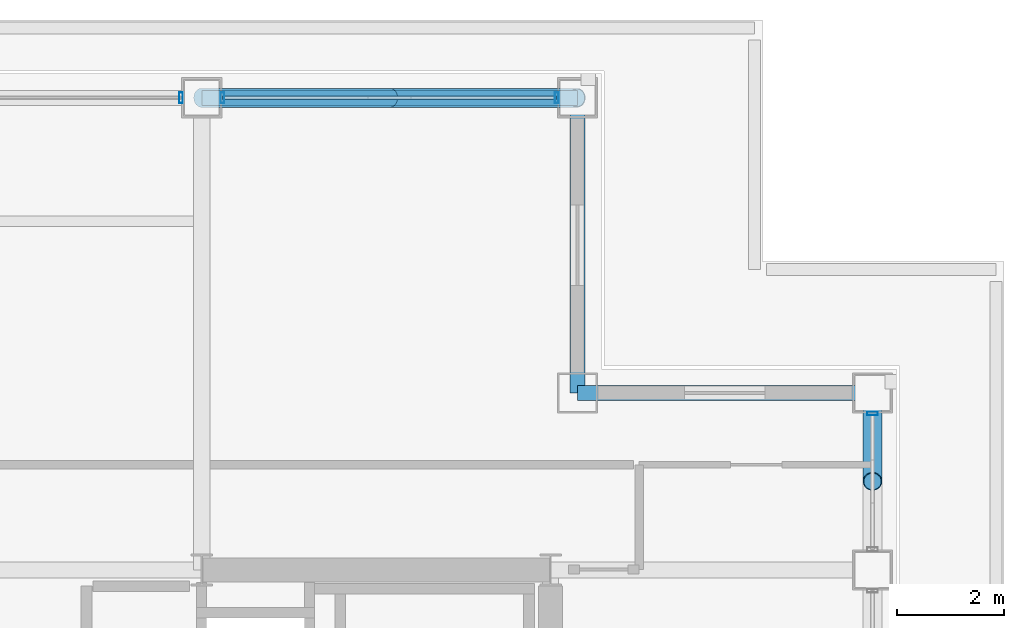
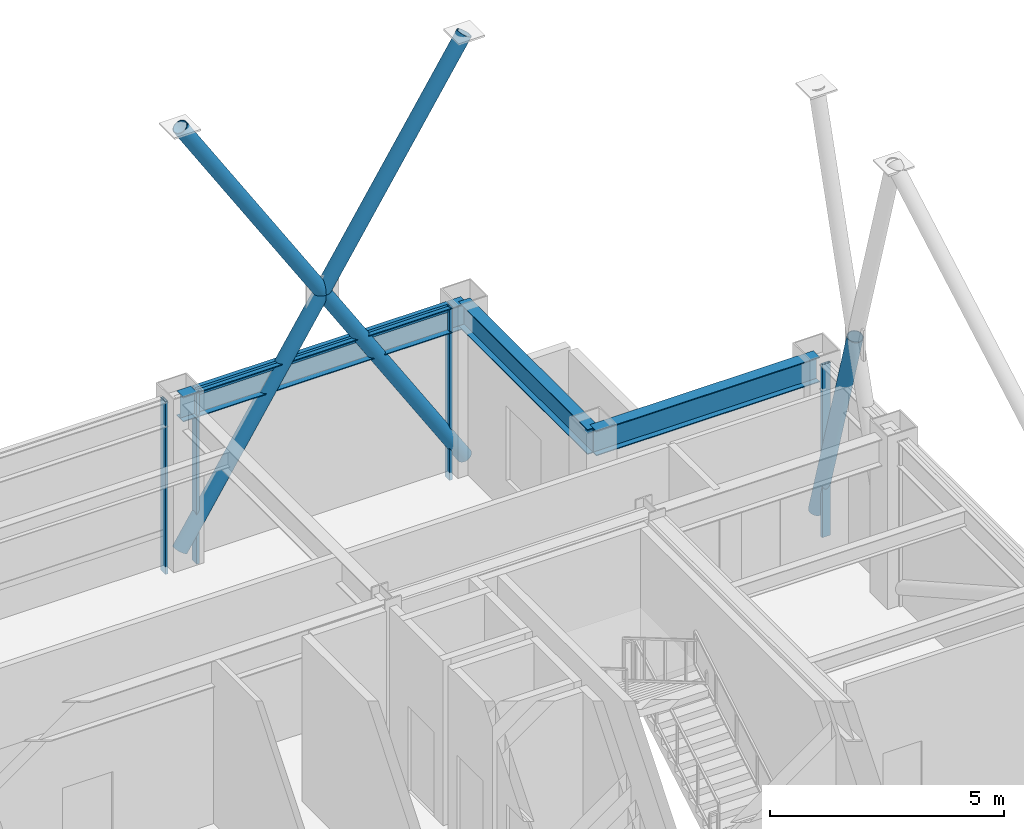
# One storey, part 18 of 24: 9 members, 3 beams, 3 elements without a shape of their own.
"""IFC4 building model written with IfcOpenShell, lengths in metres."""

from ifc_helpers import new_model, si_unit, direction, frame, origin, origin_2d, place, context, subcontext, project, spatial, hollow_rectangle, hollow_circle, i_section, extrude, material, layer, layer_set, material_profile, profile_set, type_object, element, aggregate, save


model = new_model("IFC4")

# Units and contexts
model_context = context("Model", 3, precision=1e-05, world=origin(), true_north=direction((0.0, 1.0)))
body_context = subcontext(model_context, "Body", "Model", "MODEL_VIEW")
ifc_project = project(units=[si_unit("LENGTHUNIT", "METRE"), si_unit("AREAUNIT", "SQUARE_METRE"), si_unit("VOLUMEUNIT", "CUBIC_METRE"), si_unit("PLANEANGLEUNIT", "RADIAN"), si_unit("MASSUNIT", "GRAM", prefix="KILO")], contexts=[model_context])

# Site, building, storey
site_placement = place(None, origin())
site = spatial("IfcSite", under=ifc_project, at=site_placement, CompositionType="ELEMENT")
building_placement = place(site_placement, origin())
building = spatial("IfcBuilding", under=site, at=building_placement, Name="Brelmoor Portico Tower", CompositionType="ELEMENT")
storey_placement = place(building_placement, frame((0.0, 0.0, 150.60009765625)))
storey = spatial("IfcBuildingStorey", under=building, at=storey_placement, Name="L39", CompositionType="ELEMENT", Elevation=150.60009765625)

# Beams
ifc_material_1 = material(Name="Steel Q355B", Category="steel")
ifc_material_profile_1 = material_profile(ifc_material_1, i_section(OverallWidth=0.280029296875, OverallDepth=0.64990234375, WebThickness=0.012939453125, FlangeThickness=0.02197265625, at=origin_2d()), Name="HN 650x280x13x22")
ifc_profile_set_1 = profile_set([ifc_material_profile_1], Name="Steel Q355B")
beam_type = type_object("IfcBeamType", Name="BM-SP-650", PredefinedType="SPANDREL", material=ifc_profile_set_1)
beam_1_placement = place(storey_placement, frame((15.050048828125, 13.050048828125, 3.974853515625), z_axis=(1.0, 0.0, 0.0), x_axis=(0.0, 1.0, 0.0)))
element("IfcBeam", 1, at=beam_1_placement, inside=storey, type_object=beam_type, Name="L39 Perimeter Spandrel Beam SP-07", PredefinedType="SPANDREL", context=body_context, shape_type="SweptSolid", body=[
    extrude(i_section(OverallWidth=0.280029296875, OverallDepth=0.64990234375, WebThickness=0.012939453125, FlangeThickness=0.02197265625, at=origin_2d()), origin(), (0.0, 0.0, 1.0), 5.5),
])
beam_2_placement = place(storey_placement, frame((8.050048828125, 18.550048828125, 3.974853515625), z_axis=(1.0, 0.0, 0.0), x_axis=(0.0, 1.0, 0.0)))
element("IfcBeam", 2, at=beam_2_placement, inside=storey, type_object=beam_type, Name="L39 Perimeter Spandrel Beam SP-10", PredefinedType="SPANDREL", context=body_context, shape_type="SweptSolid", body=[
    extrude(i_section(OverallWidth=0.280029296875, OverallDepth=0.64990234375, WebThickness=0.012939453125, FlangeThickness=0.02197265625, at=origin_2d()), origin(), (0.0, 0.0, 1.0), 7.0),
])
beam_3_placement = place(storey_placement, frame((15.050048828125, 13.050048828125, 3.974853515625), z_axis=(0.0, 1.0, 0.0), x_axis=(-1.0, 0.0, 0.0)))
element("IfcBeam", 3, at=beam_3_placement, inside=storey, type_object=beam_type, Name="L39 Perimeter Spandrel Beam SP-17", PredefinedType="SPANDREL", context=body_context, shape_type="SweptSolid", body=[
    extrude(i_section(OverallWidth=0.280029296875, OverallDepth=0.64990234375, WebThickness=0.012939453125, FlangeThickness=0.02197265625, at=origin_2d()), origin(), (0.0, 0.0, 1.0), 5.5),
])

# Members
ifc_material_profile_2 = material_profile(ifc_material_1, hollow_circle(Radius=0.177978515625, WallThickness=0.01611328125, at=origin_2d()), Name="CHS 356x16")
ifc_profile_set_2 = profile_set([ifc_material_profile_2], Name="Steel Q355B")
member_type_1 = type_object("IfcMemberType", Name="MB-BELT-DIAG2", PredefinedType="BRACE", material=ifc_profile_set_2)
member_1_placement = place(storey_placement, frame((8.050048828125, 18.550048828125, 0.25), z_axis=(0.536875492193, 0.0, 0.843661487732), x_axis=(0.0, 1.0, 0.0)))
element("IfcMember", 4, at=member_1_placement, inside=storey, type_object=member_type_1, Name="L39 Continuous Mega-X Brace 086A", PredefinedType="BRACE", context=body_context, shape_type="SweptSolid", body=[
    extrude(hollow_circle(Radius=0.177978515625, WallThickness=0.01611328125, at=origin_2d()), origin(), (0.0, 0.0, 1.0), 13.038330078125),
])
for number, where, z_axis, x_axis, name in (
    (5, (15.050048828125, 18.550048828125, 0.25), (-0.536875492193, 0.0, 0.843661487732), (0.0, -1.0, 0.0), "L39 Split Mega-X Brace 086B1"),
    (6, (11.550048828125, 18.550048828125, 5.75), (-0.536875492193, 0.0, 0.843661487732), (0.0, -1.0, 0.0), "L39 Split Mega-X Brace 086B2"),
):
    element("IfcMember", number, at=place(storey_placement, frame(where, z_axis=z_axis, x_axis=x_axis)), inside=storey, type_object=member_type_1, Name=name, PredefinedType="BRACE", context=body_context, shape_type="SweptSolid", body=[
        extrude(hollow_circle(Radius=0.177978515625, WallThickness=0.01611328125, at=origin_2d()), origin(), (0.0, 0.0, 1.0), 6.519287109375),
    ])
member_2_placement = place(storey_placement, frame((20.550048828125, 13.050048828125, 0.25), z_axis=(0.0, -0.287371289243, 0.957819263806), x_axis=(1.0, 0.0, 0.0)))
element("IfcMember", 7, at=member_2_placement, inside=storey, type_object=member_type_1, Name="L39 Split Mega-X Brace 090B1", PredefinedType="BRACE", context=body_context, shape_type="SweptSolid", body=[
    extrude(hollow_circle(Radius=0.177978515625, WallThickness=0.01611328125, at=origin_2d()), origin(), (0.0, 0.0, 1.0), 5.7421875),
])

# Curtain wall, member
ifc_material_2 = material(Name="Anodised Aluminium Alloy 6063-T6", Category="aluminium")
ifc_layer_1 = layer(ifc_material_2, 0.179931640625)
ifc_layer_set_1 = layer_set([ifc_layer_1], Name="Anodised Aluminium Alloy 6063-T6")
curtain_wall_type_1 = type_object("IfcCurtainWallType", Name="CW-SKYLOBBY", PredefinedType="NOTDEFINED", material=ifc_layer_set_1)
curtain_wall_1_placement = place(storey_placement, origin())
curtain_wall_1 = element("IfcCurtainWall", 8, at=curtain_wall_1_placement, inside=storey, type_object=curtain_wall_type_1, Name="L39 Curtain Wall CW-L39-02-2", PredefinedType="NOTDEFINED")
ifc_material_profile_3 = material_profile(ifc_material_2, hollow_rectangle(XDim=0.070068359375, YDim=0.199951171875, WallThickness=0.00439453125, at=origin_2d()), Name="ALU MULLION 70x200")
ifc_profile_set_3 = profile_set([ifc_material_profile_3], Name="Anodised Aluminium Alloy 6063-T6")
member_type_2 = type_object("IfcMemberType", Name="MB-CW-MULL-200", PredefinedType="MULLION", material=ifc_profile_set_3)
member_3_placement = place(storey_placement, frame((7.6650390625, 18.550048828125, -0.2001953125), z_axis=(0.0, 0.0, 1.0), x_axis=(1.0, 0.0, 0.0)))
member_3 = element("IfcMember", 9, at=member_3_placement, type_object=member_type_2, Name="CW-L39-02-2 Mullion 01", PredefinedType="MULLION", context=body_context, shape_type="SweptSolid", body=[
    extrude(hollow_rectangle(XDim=0.070068359375, YDim=0.199951171875, WallThickness=0.00439453125, at=origin_2d()), origin(), (0.0, 0.0, 1.0), 4.5),
])
aggregate(curtain_wall_1, [member_3])

# Curtain wall, members
ifc_layer_2 = layer(ifc_material_2, 0.179931640625)
ifc_layer_set_2 = layer_set([ifc_layer_2], Name="Anodised Aluminium Alloy 6063-T6")
curtain_wall_type_2 = type_object("IfcCurtainWallType", Name="CW-SKYLOBBY-XB", PredefinedType="NOTDEFINED", material=ifc_layer_set_2)
curtain_wall_2_placement = place(storey_placement, origin())
curtain_wall_2 = element("IfcCurtainWall", 10, at=curtain_wall_2_placement, inside=storey, type_object=curtain_wall_type_2, Name="L39 Curtain Wall CW-L39-02-3", PredefinedType="NOTDEFINED")
member_4_placement = place(storey_placement, frame((8.43505859375, 18.550048828125, -0.2001953125), z_axis=(0.0, 0.0, 1.0), x_axis=(1.0, 0.0, 0.0)))
member_4 = element("IfcMember", 11, at=member_4_placement, type_object=member_type_2, Name="CW-L39-02-3 Mullion 00", PredefinedType="MULLION", context=body_context, shape_type="SweptSolid", body=[
    extrude(hollow_rectangle(XDim=0.070068359375, YDim=0.199951171875, WallThickness=0.00439453125, at=origin_2d()), origin(), (0.0, 0.0, 1.0), 4.5),
])
member_5_placement = place(storey_placement, frame((14.6650390625, 18.550048828125, -0.2001953125), z_axis=(0.0, 0.0, 1.0), x_axis=(1.0, 0.0, 0.0)))
member_5 = element("IfcMember", 12, at=member_5_placement, type_object=member_type_2, Name="CW-L39-02-3 Mullion 01", PredefinedType="MULLION", context=body_context, shape_type="SweptSolid", body=[
    extrude(hollow_rectangle(XDim=0.070068359375, YDim=0.199951171875, WallThickness=0.00439453125, at=origin_2d()), origin(), (0.0, 0.0, 1.0), 4.5),
])

# Curtain wall, member
curtain_wall_3_placement = place(storey_placement, origin())
curtain_wall_3 = element("IfcCurtainWall", 13, at=curtain_wall_3_placement, inside=storey, type_object=curtain_wall_type_2, Name="L39 Curtain Wall CW-L39-04-3", PredefinedType="NOTDEFINED")
member_6_placement = place(storey_placement, frame((20.550048828125, 12.6650390625, -0.2001953125), z_axis=(0.0, 0.0, 1.0), x_axis=(0.0, 1.0, 0.0)))
member_6 = element("IfcMember", 14, at=member_6_placement, type_object=member_type_2, Name="CW-L39-04-3 Mullion 01", PredefinedType="MULLION", context=body_context, shape_type="SweptSolid", body=[
    extrude(hollow_rectangle(XDim=0.070068359375, YDim=0.199951171875, WallThickness=0.00439453125, at=origin_2d()), origin(), (0.0, 0.0, 1.0), 4.5),
])
aggregate(curtain_wall_3, [member_6])

# Member
ifc_material_profile_4 = material_profile(ifc_material_2, hollow_rectangle(XDim=0.070068359375, YDim=0.159912109375, WallThickness=0.00390625, at=origin_2d()), Name="ALU TRANSOM 70x160")
ifc_profile_set_4 = profile_set([ifc_material_profile_4], Name="Anodised Aluminium Alloy 6063-T6")
member_type_3 = type_object("IfcMemberType", Name="MB-CW-TRAN-160", PredefinedType="USERDEFINED", material=ifc_profile_set_4)
member_7_placement = place(storey_placement, frame((8.43505859375, 18.550048828125, 4.219970703125), z_axis=(1.0, 0.0, 0.0), x_axis=(0.0, 1.0, 0.0)))
member_7 = element("IfcMember", 15, at=member_7_placement, type_object=member_type_3, Name="CW-L39-02-3 Transom 1-00", ObjectType="TRANSOM", PredefinedType="USERDEFINED", context=body_context, shape_type="SweptSolid", body=[
    extrude(hollow_rectangle(XDim=0.070068359375, YDim=0.159912109375, WallThickness=0.00390625, at=origin_2d()), origin(), (0.0, 0.0, 1.0), 6.22998046875),
])

aggregate(curtain_wall_2, [member_4, member_5, member_7])

save(model, "model.ifc")
